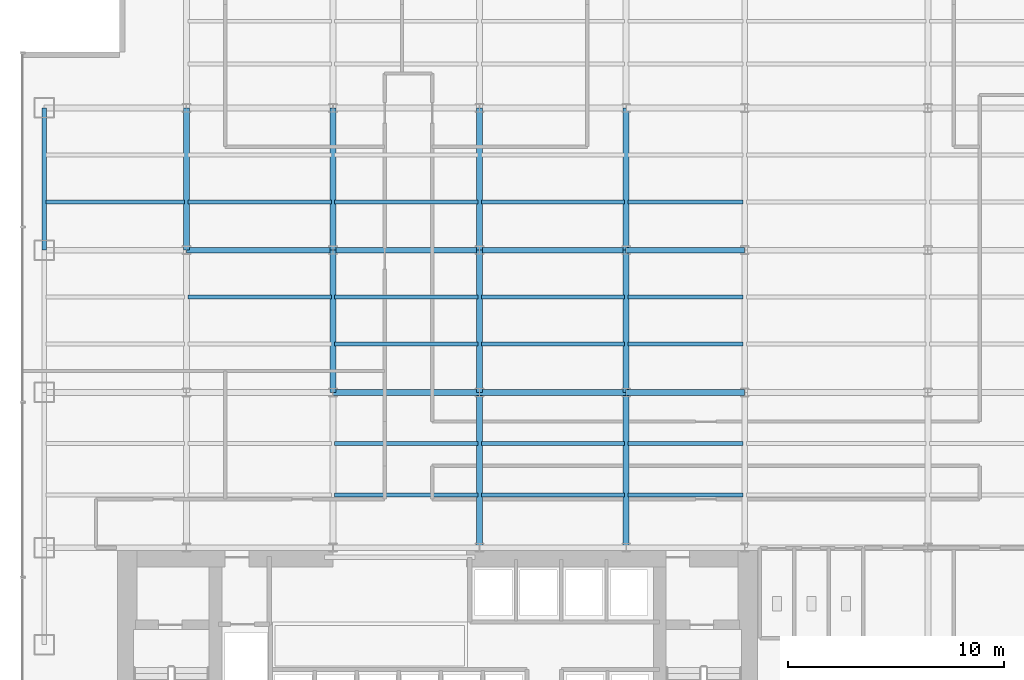
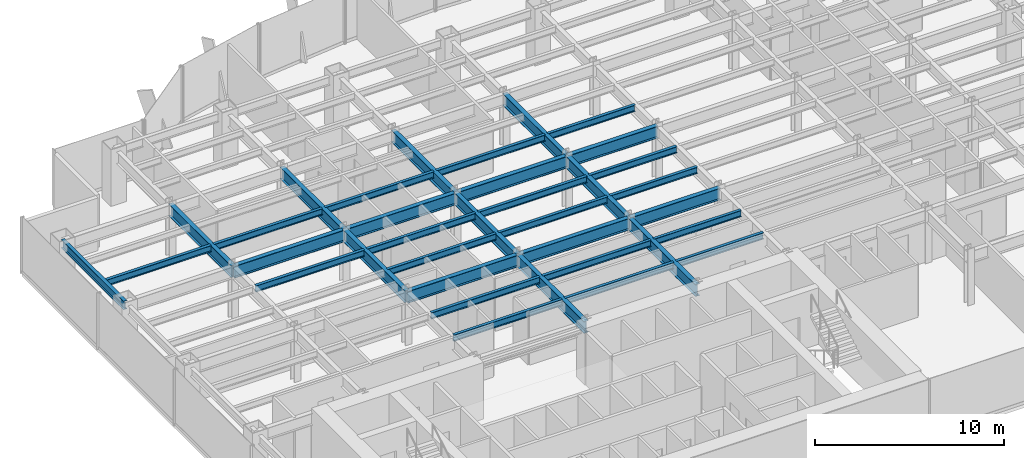
# One storey, part 5 of 22: 35 beams.
"""IFC4 building model written with IfcOpenShell, lengths in metres."""

from ifc_helpers import new_model, si_unit, derived_unit, direction, frame, origin, origin_2d, place, context, subcontext, project, spatial, i_section, extrude, source, transform, mapped, material, material_profile, profile_set, type_object, element, save


model = new_model("IFC4")

# Units and contexts
model_context = context("Model", 3, precision=1e-05, world=origin(), true_north=direction((0.0, 1.0)))
body_context = subcontext(model_context, "Body", "Model", "MODEL_VIEW")
ifc_project = project(units=[si_unit("LENGTHUNIT", "METRE"), si_unit("AREAUNIT", "SQUARE_METRE"), si_unit("VOLUMEUNIT", "CUBIC_METRE"), si_unit("PLANEANGLEUNIT", "RADIAN"), si_unit("MASSUNIT", "GRAM", prefix="KILO"), derived_unit("THERMALTRANSMITTANCEUNIT", [(si_unit("POWERUNIT", "WATT"), 1), (si_unit("LENGTHUNIT", "METRE"), -2), (si_unit("THERMODYNAMICTEMPERATUREUNIT", "KELVIN"), -1)])], contexts=[model_context])

# Site, building, storey
site_placement = place(None, origin())
site = spatial("IfcSite", under=ifc_project, at=site_placement, CompositionType="ELEMENT")
building_placement = place(site_placement, origin())
building = spatial("IfcBuilding", under=site, at=building_placement, Name="Skarnbrae Concourse Arena and Tower", CompositionType="ELEMENT")
storey_placement = place(building_placement, frame((0.0, 0.0, 76.300048828125)))
storey = spatial("IfcBuildingStorey", under=building, at=storey_placement, Name="L18", CompositionType="ELEMENT", Elevation=76.300048828125)

# Beams
ifc_material = material(Name="Steel CSA G40.21 350W", Category="steel")
ifc_material_profile_1 = material_profile(ifc_material, i_section(OverallWidth=0.26806640625, OverallDepth=0.77001953125, WebThickness=0.015625, FlangeThickness=0.025390625, at=origin_2d()), Name="W760X196")
ifc_profile_set_1 = profile_set([ifc_material_profile_1], Name="Steel CSA G40.21 350W")
beam_type_1 = type_object("IfcBeamType", Name="BM-GIRD-W760X196", PredefinedType="BEAM", material=ifc_profile_set_1)
shared_shape_1 = source(origin(), body_context, "Body", "SweptSolid", [
    extrude(i_section(OverallWidth=0.26806640625, OverallDepth=0.77001953125, WebThickness=0.015625, FlangeThickness=0.025390625, at=origin_2d()), origin(), (0.0, 0.0, 1.0), 6.60009765625),
])
for number, where, z_axis, x_axis, name in (
    (1, (14.39990234375, 21.199951171875, 3.014892578125), (0.0, 1.0, 0.0), (-1.0, 0.0, 0.0), "L18 Primary N-S girder X14.4-2"),
    (2, (21.199951171875, 21.199951171875, 3.014892578125), (0.0, 1.0, 0.0), (-1.0, 0.0, 0.0), "L18 Primary N-S girder X21.2-2"),
    (3, (28.0, 21.199951171875, 3.014892578125), (0.0, 1.0, 0.0), (-1.0, 0.0, 0.0), "L18 Primary N-S girder X28.0-2"),
):
    element("IfcBeam", number, at=place(storey_placement, frame(where, z_axis=z_axis, x_axis=x_axis)), inside=storey, type_object=beam_type_1, Name=name, PredefinedType="BEAM", context=body_context, shape_type="MappedRepresentation", body=[
        mapped(shared_shape_1, transform((0.0, 0.0, 0.0))),
    ])
shared_shape_2 = source(origin(), body_context, "Body", "SweptSolid", [
    extrude(i_section(OverallWidth=0.26806640625, OverallDepth=0.77001953125, WebThickness=0.015625, FlangeThickness=0.025390625, at=origin_2d()), origin(), (0.0, 0.0, 1.0), 6.7998046875),
])
beam_1_placement = place(storey_placement, frame((7.60009765625, 27.800048828125, 3.014892578125), z_axis=(1.0, 0.0, 0.0), x_axis=(0.0, 1.0, 0.0)))
element("IfcBeam", 4, at=beam_1_placement, inside=storey, type_object=beam_type_1, Name="L18 Primary E-W girder Y27.8-2", PredefinedType="BEAM", context=body_context, shape_type="MappedRepresentation", body=[
    mapped(shared_shape_2, transform((0.0, 0.0, 0.0))),
])
shared_shape_3 = source(origin(), body_context, "Body", "SweptSolid", [
    extrude(i_section(OverallWidth=0.26806640625, OverallDepth=0.77001953125, WebThickness=0.015625, FlangeThickness=0.025390625, at=origin_2d()), origin(), (0.0, 0.0, 1.0), 6.800048828125),
])
for number, where, z_axis, x_axis, name in (
    (5, (14.39990234375, 21.199951171875, 3.014892578125), (1.0, 0.0, 0.0), (0.0, 1.0, 0.0), "L18 Primary E-W girder Y21.2-3"),
    (6, (21.199951171875, 21.199951171875, 3.014892578125), (1.0, 0.0, 0.0), (0.0, 1.0, 0.0), "L18 Primary E-W girder Y21.2-4"),
    (7, (14.39990234375, 27.800048828125, 3.014892578125), (1.0, 0.0, 0.0), (0.0, 1.0, 0.0), "L18 Primary E-W girder Y27.8-3"),
    (8, (21.199951171875, 27.800048828125, 3.014892578125), (1.0, 0.0, 0.0), (0.0, 1.0, 0.0), "L18 Primary E-W girder Y27.8-4"),
):
    element("IfcBeam", number, at=place(storey_placement, frame(where, z_axis=z_axis, x_axis=x_axis)), inside=storey, type_object=beam_type_1, Name=name, PredefinedType="BEAM", context=body_context, shape_type="MappedRepresentation", body=[
        mapped(shared_shape_3, transform((0.0, 0.0, 0.0))),
    ])
shared_shape_4 = source(origin(), body_context, "Body", "SweptSolid", [
    extrude(i_section(OverallWidth=0.26806640625, OverallDepth=0.77001953125, WebThickness=0.015625, FlangeThickness=0.025390625, at=origin_2d()), origin(), (0.0, 0.0, 1.0), 5.5),
])
for number, where, z_axis, x_axis, name in (
    (9, (28.0, 21.199951171875, 3.014892578125), (1.0, 0.0, 0.0), (0.0, 1.0, 0.0), "L18 Primary E-W girder Y21.2-5"),
    (10, (28.0, 27.800048828125, 3.014892578125), (1.0, 0.0, 0.0), (0.0, 1.0, 0.0), "L18 Primary E-W girder Y27.8-5"),
):
    element("IfcBeam", number, at=place(storey_placement, frame(where, z_axis=z_axis, x_axis=x_axis)), inside=storey, type_object=beam_type_1, Name=name, PredefinedType="BEAM", context=body_context, shape_type="MappedRepresentation", body=[
        mapped(shared_shape_4, transform((0.0, 0.0, 0.0))),
    ])
ifc_material_profile_2 = material_profile(ifc_material, i_section(OverallWidth=0.214111328125, OverallDepth=0.549072265625, WebThickness=0.0146484375, FlangeThickness=0.023681640625, at=origin_2d()), Name="W530X138")
ifc_profile_set_2 = profile_set([ifc_material_profile_2], Name="Steel CSA G40.21 350W")
beam_type_2 = type_object("IfcBeamType", Name="BM-SPAN-W530X138", PredefinedType="SPANDREL", material=ifc_profile_set_2)
shared_shape_5 = source(origin(), body_context, "Body", "SweptSolid", [
    extrude(i_section(OverallWidth=0.214111328125, OverallDepth=0.549072265625, WebThickness=0.0146484375, FlangeThickness=0.023681640625, at=origin_2d()), origin(), (0.0, 0.0, 1.0), 6.599853515625),
])
beam_2_placement = place(storey_placement, frame((1.0, 27.800048828125, 3.12548828125), z_axis=(0.0, 1.0, 0.0), x_axis=(-1.0, 0.0, 0.0)))
element("IfcBeam", 11, at=beam_2_placement, inside=storey, type_object=beam_type_2, Name="L18 Perimeter spandrel X1.0-4", PredefinedType="SPANDREL", context=body_context, shape_type="MappedRepresentation", body=[
    mapped(shared_shape_5, transform((0.0, 0.0, 0.0))),
])
shared_shape_6 = source(origin(), body_context, "Body", "SweptSolid", [
    extrude(i_section(OverallWidth=0.26806640625, OverallDepth=0.77001953125, WebThickness=0.015625, FlangeThickness=0.025390625, at=origin_2d()), origin(), (0.0, 0.0, 1.0), 7.199951171875),
])
for number, where, z_axis, x_axis, name in (
    (12, (21.199951171875, 14.0, 3.014892578125), (0.0, 1.0, 0.0), (-1.0, 0.0, 0.0), "L18 Primary N-S girder X21.2-1"),
    (13, (28.0, 14.0, 3.014892578125), (0.0, 1.0, 0.0), (-1.0, 0.0, 0.0), "L18 Primary N-S girder X28.0-1"),
):
    element("IfcBeam", number, at=place(storey_placement, frame(where, z_axis=z_axis, x_axis=x_axis)), inside=storey, type_object=beam_type_1, Name=name, PredefinedType="BEAM", context=body_context, shape_type="MappedRepresentation", body=[
        mapped(shared_shape_6, transform((0.0, 0.0, 0.0))),
    ])
shared_shape_7 = source(origin(), body_context, "Body", "SweptSolid", [
    extrude(i_section(OverallWidth=0.26806640625, OverallDepth=0.77001953125, WebThickness=0.015625, FlangeThickness=0.025390625, at=origin_2d()), origin(), (0.0, 0.0, 1.0), 6.599853515625),
])
for number, where, z_axis, x_axis, name in (
    (14, (7.60009765625, 27.800048828125, 3.014892578125), (0.0, 1.0, 0.0), (-1.0, 0.0, 0.0), "L18 Primary N-S girder X7.6-3"),
    (15, (14.39990234375, 27.800048828125, 3.014892578125), (0.0, 1.0, 0.0), (-1.0, 0.0, 0.0), "L18 Primary N-S girder X14.4-3"),
    (16, (21.199951171875, 27.800048828125, 3.014892578125), (0.0, 1.0, 0.0), (-1.0, 0.0, 0.0), "L18 Primary N-S girder X21.2-3"),
    (17, (28.0, 27.800048828125, 3.014892578125), (0.0, 1.0, 0.0), (-1.0, 0.0, 0.0), "L18 Primary N-S girder X28.0-3"),
):
    element("IfcBeam", number, at=place(storey_placement, frame(where, z_axis=z_axis, x_axis=x_axis)), inside=storey, type_object=beam_type_1, Name=name, PredefinedType="BEAM", context=body_context, shape_type="MappedRepresentation", body=[
        mapped(shared_shape_7, transform((0.0, 0.0, 0.0))),
    ])
ifc_material_profile_3 = material_profile(ifc_material, i_section(OverallWidth=0.180908203125, OverallDepth=0.4169921875, WebThickness=0.010986328125, FlangeThickness=0.018310546875, at=origin_2d()), Name="W410X85")
ifc_profile_set_3 = profile_set([ifc_material_profile_3], Name="Steel CSA G40.21 350W")
beam_type_3 = type_object("IfcBeamType", Name="BM-JOIST-W410X85", PredefinedType="JOIST", material=ifc_profile_set_3)
shared_shape_8 = source(origin(), body_context, "Body", "SweptSolid", [
    extrude(i_section(OverallWidth=0.180908203125, OverallDepth=0.4169921875, WebThickness=0.010986328125, FlangeThickness=0.018310546875, at=origin_2d()), origin(), (0.0, 0.0, 1.0), 6.43994140625),
])
beam_3_placement = place(storey_placement, frame((1.080078125, 30.0439453125, 3.19140625), z_axis=(1.0, 0.0, 0.0), x_axis=(0.0, 1.0, 0.0)))
element("IfcBeam", 18, at=beam_3_placement, inside=storey, type_object=beam_type_3, Name="L18 Secondary floor joist 3.1.1", PredefinedType="JOIST", context=body_context, shape_type="MappedRepresentation", body=[
    mapped(shared_shape_8, transform((0.0, 0.0, 0.0))),
])
shared_shape_9 = source(origin(), body_context, "Body", "SweptSolid", [
    extrude(i_section(OverallWidth=0.180908203125, OverallDepth=0.4169921875, WebThickness=0.010986328125, FlangeThickness=0.018310546875, at=origin_2d()), origin(), (0.0, 0.0, 1.0), 6.64013671875),
])
for number, where, z_axis, x_axis, name in (
    (19, (14.47998046875, 16.447998046875, 3.19140625), (1.0, 0.0, 0.0), (0.0, 1.0, 0.0), "L18 Secondary floor joist 1.1.3"),
    (20, (14.47998046875, 18.823974609375, 3.19140625), (1.0, 0.0, 0.0), (0.0, 1.0, 0.0), "L18 Secondary floor joist 1.2.3"),
    (21, (14.47998046875, 23.444091796875, 3.19140625), (1.0, 0.0, 0.0), (0.0, 1.0, 0.0), "L18 Secondary floor joist 2.1.3"),
    (22, (7.679931640625, 25.6220703125, 3.19140625), (1.0, 0.0, 0.0), (0.0, 1.0, 0.0), "L18 Secondary floor joist 2.2.2"),
    (23, (14.47998046875, 25.6220703125, 3.19140625), (1.0, 0.0, 0.0), (0.0, 1.0, 0.0), "L18 Secondary floor joist 2.2.3"),
    (24, (7.679931640625, 30.0439453125, 3.19140625), (1.0, 0.0, 0.0), (0.0, 1.0, 0.0), "L18 Secondary floor joist 3.1.2"),
    (25, (14.47998046875, 30.0439453125, 3.19140625), (1.0, 0.0, 0.0), (0.0, 1.0, 0.0), "L18 Secondary floor joist 3.1.3"),
):
    element("IfcBeam", number, at=place(storey_placement, frame(where, z_axis=z_axis, x_axis=x_axis)), inside=storey, type_object=beam_type_3, Name=name, PredefinedType="JOIST", context=body_context, shape_type="MappedRepresentation", body=[
        mapped(shared_shape_9, transform((0.0, 0.0, 0.0))),
    ])
shared_shape_10 = source(origin(), body_context, "Body", "SweptSolid", [
    extrude(i_section(OverallWidth=0.180908203125, OverallDepth=0.4169921875, WebThickness=0.010986328125, FlangeThickness=0.018310546875, at=origin_2d()), origin(), (0.0, 0.0, 1.0), 6.639892578125),
])
for number, where, z_axis, x_axis, name in (
    (26, (21.280029296875, 16.447998046875, 3.19140625), (1.0, 0.0, 0.0), (0.0, 1.0, 0.0), "L18 Secondary floor joist 1.1.4"),
    (27, (21.280029296875, 18.823974609375, 3.19140625), (1.0, 0.0, 0.0), (0.0, 1.0, 0.0), "L18 Secondary floor joist 1.2.4"),
    (28, (21.280029296875, 23.444091796875, 3.19140625), (1.0, 0.0, 0.0), (0.0, 1.0, 0.0), "L18 Secondary floor joist 2.1.4"),
    (29, (21.280029296875, 25.6220703125, 3.19140625), (1.0, 0.0, 0.0), (0.0, 1.0, 0.0), "L18 Secondary floor joist 2.2.4"),
    (30, (21.280029296875, 30.0439453125, 3.19140625), (1.0, 0.0, 0.0), (0.0, 1.0, 0.0), "L18 Secondary floor joist 3.1.4"),
):
    element("IfcBeam", number, at=place(storey_placement, frame(where, z_axis=z_axis, x_axis=x_axis)), inside=storey, type_object=beam_type_3, Name=name, PredefinedType="JOIST", context=body_context, shape_type="MappedRepresentation", body=[
        mapped(shared_shape_10, transform((0.0, 0.0, 0.0))),
    ])
shared_shape_11 = source(origin(), body_context, "Body", "SweptSolid", [
    extrude(i_section(OverallWidth=0.180908203125, OverallDepth=0.4169921875, WebThickness=0.010986328125, FlangeThickness=0.018310546875, at=origin_2d()), origin(), (0.0, 0.0, 1.0), 5.33984375),
])
for number, where, z_axis, x_axis, name in (
    (31, (28.080078125, 16.447998046875, 3.19140625), (1.0, 0.0, 0.0), (0.0, 1.0, 0.0), "L18 Secondary floor joist 1.1.5"),
    (32, (28.080078125, 18.823974609375, 3.19140625), (1.0, 0.0, 0.0), (0.0, 1.0, 0.0), "L18 Secondary floor joist 1.2.5"),
    (33, (28.080078125, 23.444091796875, 3.19140625), (1.0, 0.0, 0.0), (0.0, 1.0, 0.0), "L18 Secondary floor joist 2.1.5"),
    (34, (28.080078125, 25.6220703125, 3.19140625), (1.0, 0.0, 0.0), (0.0, 1.0, 0.0), "L18 Secondary floor joist 2.2.5"),
    (35, (28.080078125, 30.0439453125, 3.19140625), (1.0, 0.0, 0.0), (0.0, 1.0, 0.0), "L18 Secondary floor joist 3.1.5"),
):
    element("IfcBeam", number, at=place(storey_placement, frame(where, z_axis=z_axis, x_axis=x_axis)), inside=storey, type_object=beam_type_3, Name=name, PredefinedType="JOIST", context=body_context, shape_type="MappedRepresentation", body=[
        mapped(shared_shape_11, transform((0.0, 0.0, 0.0))),
    ])

save(model, "model.ifc")
